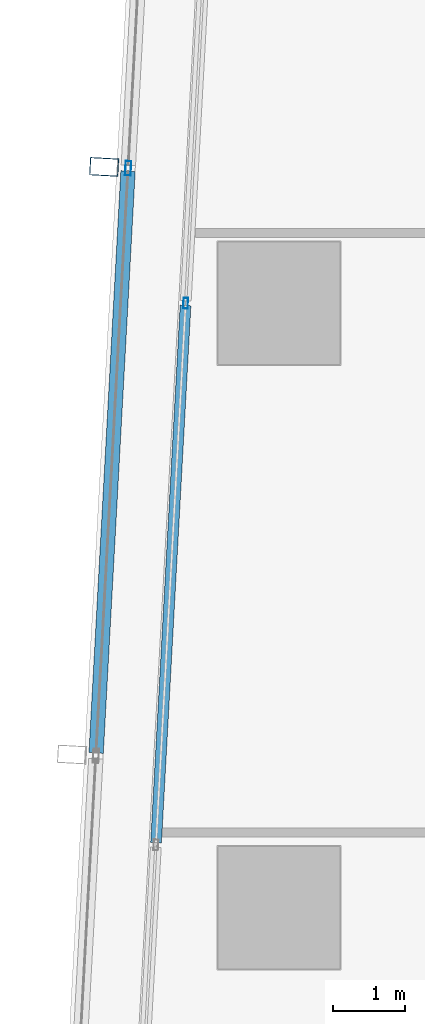
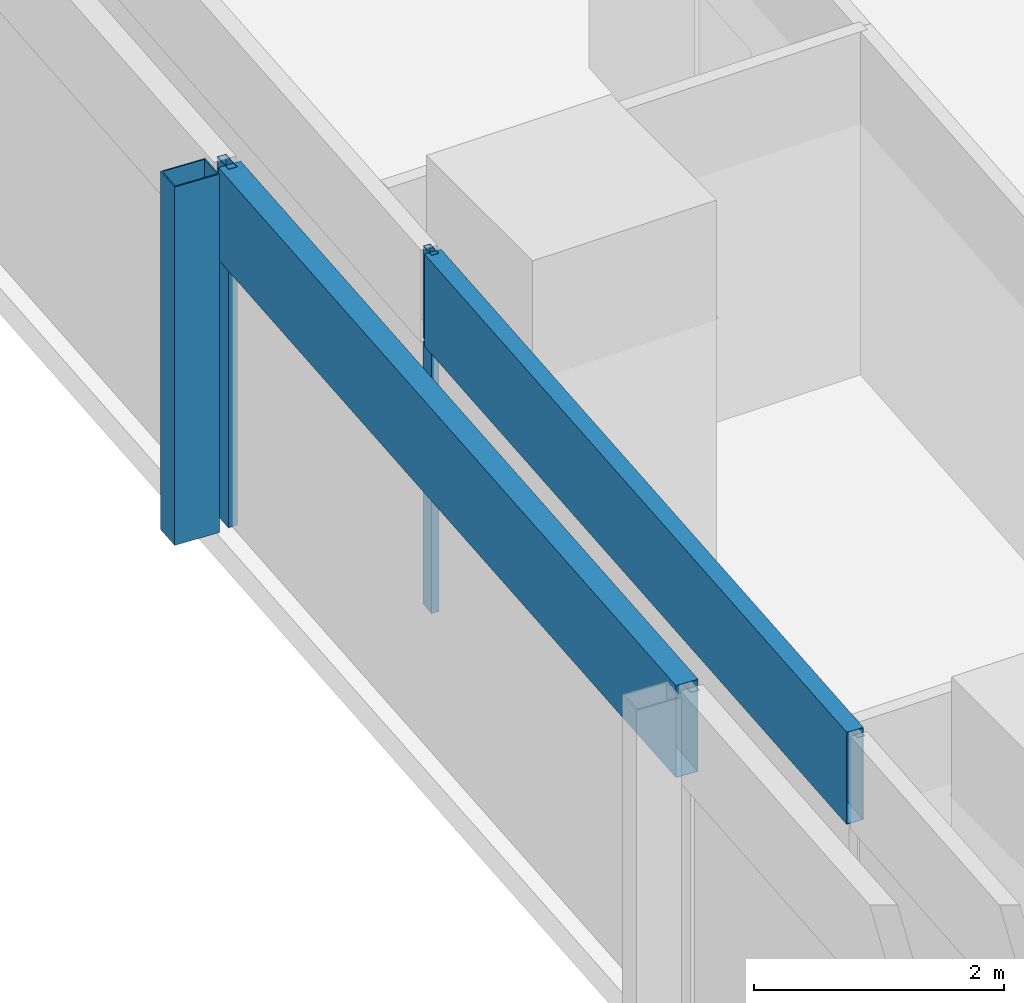
# One storey, part 14 of 40: 5 members, 2 elements without a shape of their own.
"""IFC4 building model written with IfcOpenShell, lengths in metres."""

from ifc_helpers import new_model, si_unit, direction, frame, origin, origin_2d, place, context, subcontext, project, spatial, hollow_rectangle, extrude, material, material_profile, profile_set, type_object, element, aggregate, save


model = new_model("IFC4")

# Units and contexts
model_context = context("Model", 3, precision=1e-05, world=origin(), true_north=direction((0.0, 1.0)))
body_context = subcontext(model_context, "Body", "Model", "MODEL_VIEW")
ifc_project = project(units=[si_unit("LENGTHUNIT", "METRE"), si_unit("AREAUNIT", "SQUARE_METRE"), si_unit("VOLUMEUNIT", "CUBIC_METRE"), si_unit("PLANEANGLEUNIT", "RADIAN"), si_unit("MASSUNIT", "GRAM", prefix="KILO")], contexts=[model_context])

# Site, building, storey
site_placement = place(None, origin())
site = spatial("IfcSite", under=ifc_project, at=site_placement, CompositionType="ELEMENT")
building_placement = place(site_placement, origin())
building = spatial("IfcBuilding", under=site, at=building_placement, Name="Rekha Terrace Tower", CompositionType="ELEMENT")
storey_placement = place(building_placement, frame((0.0, 0.0, 106.550048828125)))
storey = spatial("IfcBuildingStorey", under=building, at=storey_placement, Name="L26", CompositionType="ELEMENT", Elevation=106.550048828125)

# Curtain wall, member
ifc_material_1 = material(Name="Aluminium framing", Category="aluminium")
curtain_wall_type_1 = type_object("IfcCurtainWallType", Name="CW2 double skin outer glazing", PredefinedType="USERDEFINED", material=ifc_material_1)
curtain_wall_1_placement = place(storey_placement, origin())
curtain_wall_1 = element("IfcCurtainWall", 1, at=curtain_wall_1_placement, inside=storey, type_object=curtain_wall_type_1, Name="CW2 double skin outer glazing", ObjectType="DOUBLE SKIN OUTER GLAZING", PredefinedType="USERDEFINED")
ifc_material_2 = material(Name="Steel S355 with fluorocarbon finish", Category="steel")
ifc_material_profile_1 = material_profile(ifc_material_2, hollow_rectangle(XDim=0.25, YDim=0.39990234375, WallThickness=0.012451171875, at=origin_2d()), Name="RHS400x250x12.5")
ifc_profile_set_1 = profile_set([ifc_material_profile_1], Name="Steel S355 with fluorocarbon finish")
member_type_1 = type_object("IfcMemberType", Name="BL1 facade blade RHS 400 x 250", PredefinedType="USERDEFINED", material=ifc_profile_set_1)
member_1_placement = place(storey_placement, frame((5.969482421875, 52.29638671875, 0.0), z_axis=(0.0, 0.0, 1.0), x_axis=(-0.054742798353, -0.998500488747, 0.0)))
member_1 = element("IfcMember", 2, at=member_1_placement, type_object=member_type_1, Name="Facade blade", ObjectType="FACADE BLADE", PredefinedType="USERDEFINED", context=body_context, shape_type="SweptSolid", body=[
    extrude(hollow_rectangle(XDim=0.25, YDim=0.39990234375, WallThickness=0.012451171875, at=origin_2d()), origin(), (0.0, 0.0, 1.0), 3.5),
])

# Curtain wall, members
curtain_wall_type_2 = type_object("IfcCurtainWallType", Name="CW1 double skin inner glazing", PredefinedType="USERDEFINED", material=ifc_material_1)
curtain_wall_2_placement = place(storey_placement, origin())
curtain_wall_2 = element("IfcCurtainWall", 3, at=curtain_wall_2_placement, inside=storey, type_object=curtain_wall_type_2, Name="CW1 double skin inner glazing", ObjectType="DOUBLE SKIN INNER GLAZING", PredefinedType="USERDEFINED")
ifc_material_3 = material(Name="Aluminium mullion section", Category="aluminium")
ifc_material_profile_2 = material_profile(ifc_material_3, hollow_rectangle(XDim=0.06494140625, YDim=0.14990234375, WallThickness=0.00390625, at=origin_2d()), Name="AL RHS 65x150")
ifc_profile_set_2 = profile_set([ifc_material_profile_2], Name="Aluminium mullion section")
member_type_2 = type_object("IfcMemberType", Name="CW1 mullion RHS 65 x 150", PredefinedType="MULLION", material=ifc_profile_set_2)
member_2_placement = place(storey_placement, frame((7.1025390625, 50.40234375, 0.0), z_axis=(0.0, 0.0, 1.0), x_axis=(0.99850051318, -0.054742352707, 0.0)))
member_2 = element("IfcMember", 4, at=member_2_placement, type_object=member_type_2, Name="CW1 mullion 2", PredefinedType="MULLION", context=body_context, shape_type="SweptSolid", body=[
    extrude(hollow_rectangle(XDim=0.06494140625, YDim=0.14990234375, WallThickness=0.00390625, at=origin_2d()), origin(), (0.0, 0.0, 1.0), 3.5),
])
ifc_material_4 = material(Name="Insulated aluminium spandrel box", Category="aluminium")
ifc_material_profile_3 = material_profile(ifc_material_4, hollow_rectangle(XDim=0.14990234375, YDim=0.89990234375, WallThickness=0.0029296875, at=origin_2d()), Name="AL SPANDREL BOX 150x900")
ifc_profile_set_3 = profile_set([ifc_material_profile_3], Name="Insulated aluminium spandrel box")
member_type_3 = type_object("IfcMemberType", Name="CW1 spandrel transom 150 x 900", PredefinedType="USERDEFINED", material=ifc_profile_set_3)
member_3_placement = place(storey_placement, frame((7.100830078125, 50.369873046875, 3.050048828125), z_axis=(-0.054764629515, -0.998499291614, 0.0), x_axis=(0.998499291614, -0.054764629515, 0.0)))
member_3 = element("IfcMember", 5, at=member_3_placement, type_object=member_type_3, Name="CW1 spandrel transom 2", ObjectType="TRANSOM", PredefinedType="USERDEFINED", context=body_context, shape_type="SweptSolid", body=[
    extrude(hollow_rectangle(XDim=0.14990234375, YDim=0.89990234375, WallThickness=0.0029296875, at=origin_2d()), origin(), (0.0, 0.0, 1.0), 7.47607421875),
])
aggregate(curtain_wall_2, [member_2, member_3])

# Member
ifc_material_profile_4 = material_profile(ifc_material_3, hollow_rectangle(XDim=0.080078125, YDim=0.199951171875, WallThickness=0.00390625, at=origin_2d()), Name="AL RHS 80x200")
ifc_profile_set_4 = profile_set([ifc_material_profile_4], Name="Aluminium mullion section")
member_type_4 = type_object("IfcMemberType", Name="CW2 mullion RHS 80 x 200", PredefinedType="MULLION", material=ifc_profile_set_4)
member_4_placement = place(storey_placement, frame((6.303955078125, 52.278076171875, 0.0), z_axis=(0.0, 0.0, 1.0), x_axis=(0.99850051318, -0.054742352707, 0.0)))
member_4 = element("IfcMember", 6, at=member_4_placement, type_object=member_type_4, Name="CW2 mullion 2", PredefinedType="MULLION", context=body_context, shape_type="SweptSolid", body=[
    extrude(hollow_rectangle(XDim=0.080078125, YDim=0.199951171875, WallThickness=0.00390625, at=origin_2d()), origin(), (0.0, 0.0, 1.0), 3.5),
])

ifc_material_profile_5 = material_profile(ifc_material_4, hollow_rectangle(XDim=0.199951171875, YDim=0.89990234375, WallThickness=0.0029296875, at=origin_2d()), Name="AL SPANDREL BOX 200x900")
ifc_profile_set_5 = profile_set([ifc_material_profile_5], Name="Insulated aluminium spandrel box")
member_type_5 = type_object("IfcMemberType", Name="CW2 spandrel transom 200 x 900", PredefinedType="USERDEFINED", material=ifc_profile_set_5)
member_5_placement = place(storey_placement, frame((6.3017578125, 52.23828125, 3.050048828125), z_axis=(-0.054735499102, -0.998500888902, 0.0), x_axis=(0.998500888902, -0.054735499102, 0.0)))
member_5 = element("IfcMember", 7, at=member_5_placement, type_object=member_type_5, Name="CW2 spandrel transom 2", ObjectType="TRANSOM", PredefinedType="USERDEFINED", context=body_context, shape_type="SweptSolid", body=[
    extrude(hollow_rectangle(XDim=0.199951171875, YDim=0.89990234375, WallThickness=0.0029296875, at=origin_2d()), origin(), (0.0, 0.0, 1.0), 8.10009765625),
])

aggregate(curtain_wall_1, [member_4, member_5, member_1])

save(model, "model.ifc")
